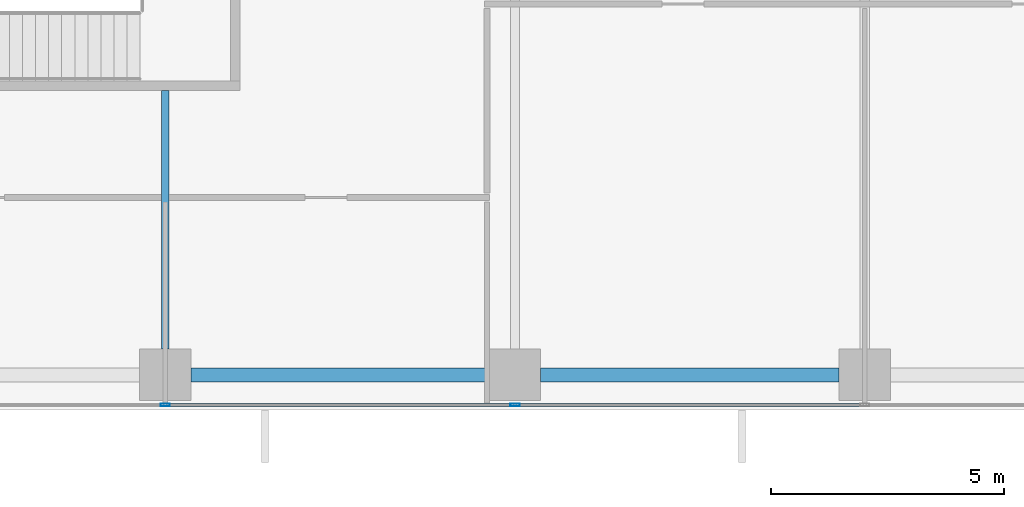
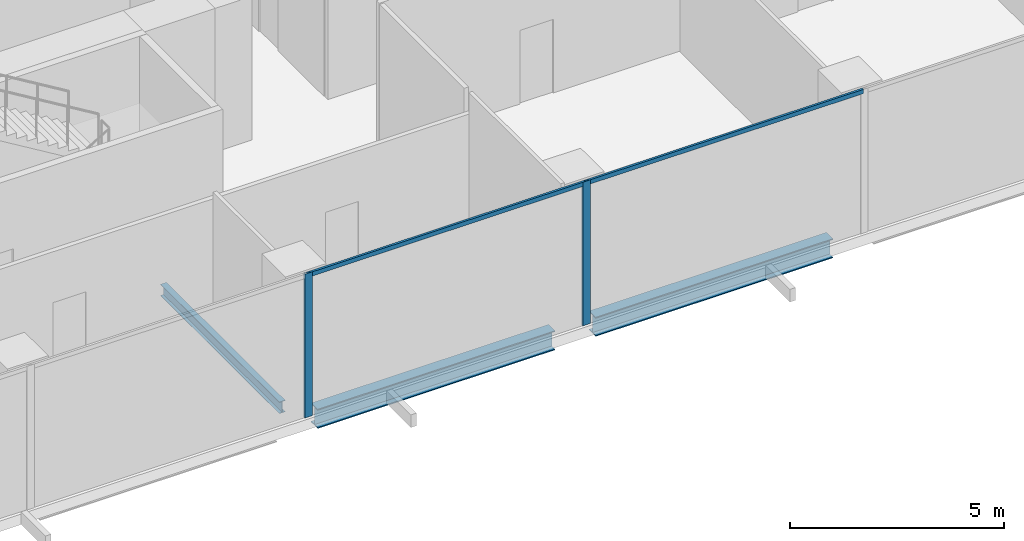
# One storey, part 5 of 34: 4 members, 3 beams, 1 element without a shape of its own.
"""IFC4 building model written with IfcOpenShell, lengths in metres."""

from ifc_helpers import new_model, si_unit, direction, frame, origin, origin_2d, place, context, subcontext, project, spatial, hollow_rectangle, i_section, extrude, source, transform, mapped, material, material_profile, profile_set, type_object, element, aggregate, save


model = new_model("IFC4")

# Units and contexts
model_context = context("Model", 3, precision=1e-05, world=origin(), true_north=direction((0.0, 1.0)))
body_context = subcontext(model_context, "Body", "Model", "MODEL_VIEW")
ifc_project = project(units=[si_unit("LENGTHUNIT", "METRE"), si_unit("AREAUNIT", "SQUARE_METRE"), si_unit("VOLUMEUNIT", "CUBIC_METRE"), si_unit("PLANEANGLEUNIT", "RADIAN"), si_unit("MASSUNIT", "GRAM", prefix="KILO")], contexts=[model_context])

# Site, building, storey
site_placement = place(None, origin())
site = spatial("IfcSite", under=ifc_project, at=site_placement, CompositionType="ELEMENT")
building_placement = place(site_placement, origin())
building = spatial("IfcBuilding", under=site, at=building_placement, Name="Khomas Fold Tower", CompositionType="ELEMENT")
storey_placement = place(building_placement, frame((0.0, 0.0, 105.89990234375)))
storey = spatial("IfcBuildingStorey", under=building, at=storey_placement, Name="L22", CompositionType="ELEMENT", Elevation=105.89990234375)

# Beams
ifc_material_1 = material(Name="Steel S355", Category="steel")
ifc_material_profile_1 = material_profile(ifc_material_1, i_section(OverallWidth=0.300048828125, OverallDepth=0.550048828125, WebThickness=0.014892578125, FlangeThickness=0.029052734375, at=origin_2d()), Name="HE 550 B")
ifc_profile_set_1 = profile_set([ifc_material_profile_1], Name="Steel S355")
beam_type_1 = type_object("IfcBeamType", Name="HE 550 B spandrel SB2", PredefinedType="SPANDREL", material=ifc_profile_set_1)
shared_shape_1 = source(origin(), body_context, "Body", "SweptSolid", [
    extrude(i_section(OverallWidth=0.300048828125, OverallDepth=0.550048828125, WebThickness=0.014892578125, FlangeThickness=0.029052734375, at=origin_2d()), origin(), (0.0, 0.0, 1.0), 6.39990234375),
])
for number, where, z_axis, x_axis, name in (
    (1, (20.050048828125, 2.25, -0.574951171875), (1.0, 0.0, 0.0), (0.0, 1.0, 0.0), "SB2"),
    (2, (27.550048828125, 2.25, -0.574951171875), (1.0, 0.0, 0.0), (0.0, 1.0, 0.0), "SB2"),
):
    element("IfcBeam", number, at=place(storey_placement, frame(where, z_axis=z_axis, x_axis=x_axis)), inside=storey, type_object=beam_type_1, Name=name, PredefinedType="SPANDREL", context=body_context, shape_type="MappedRepresentation", body=[
        mapped(shared_shape_1, transform((0.0, 0.0, 0.0))),
    ])
ifc_material_2 = material(Name="Steel S355", Category="steel")
ifc_material_profile_2 = material_profile(ifc_material_2, i_section(OverallWidth=0.159912109375, OverallDepth=0.330078125, WebThickness=0.007568359375, FlangeThickness=0.011474609375, at=origin_2d()), Name="IPE 330")
ifc_profile_set_2 = profile_set([ifc_material_profile_2], Name="Steel S355")
beam_type_2 = type_object("IfcBeamType", Name="IPE 330 beam JB1", PredefinedType="BEAM", material=ifc_profile_set_2)
shared_shape_2 = source(origin(), body_context, "Body", "SweptSolid", [
    extrude(i_section(OverallWidth=0.159912109375, OverallDepth=0.330078125, WebThickness=0.007568359375, FlangeThickness=0.011474609375, at=origin_2d()), origin(), (0.0, 0.0, 1.0), 5.550048828125),
])
beam_placement = place(storey_placement, frame((19.5, 2.800048828125, -0.46484375), z_axis=(0.0, 1.0, 0.0), x_axis=(-1.0, 0.0, 0.0)))
element("IfcBeam", 3, at=beam_placement, inside=storey, type_object=beam_type_2, Name="JB1", PredefinedType="BEAM", context=body_context, shape_type="MappedRepresentation", body=[
    mapped(shared_shape_2, transform((0.0, 0.0, 0.0))),
])

# Curtain wall, members
ifc_material_3 = material(Name="Aluminium framed double glazing", Category="aluminium")
curtain_wall_type = type_object("IfcCurtainWallType", Name="SK-Unitised clear-glass wall, growing floors CW1", PredefinedType="NOTDEFINED", material=ifc_material_3)
curtain_wall_placement = place(storey_placement, origin())
curtain_wall = element("IfcCurtainWall", 4, at=curtain_wall_placement, inside=storey, type_object=curtain_wall_type, Name="CW1 run L22 00-0", PredefinedType="NOTDEFINED")
ifc_material_4 = material(Name="Aluminium", Category="aluminium")
ifc_material_profile_3 = material_profile(ifc_material_4, hollow_rectangle(XDim=0.06005859375, YDim=0.1201171875, WallThickness=0.00390625, at=origin_2d()), Name="SK-Unitised clear-glass wall, growing floors transom CW1-T")
ifc_profile_set_3 = profile_set([ifc_material_profile_3], Name="Aluminium")
member_type_1 = type_object("IfcMemberType", Name="SK-Unitised clear-glass wall, growing floors transom CW1-T", PredefinedType="USERDEFINED", material=ifc_profile_set_3)
shared_shape_3 = source(origin(), body_context, "Body", "SweptSolid", [
    extrude(hollow_rectangle(XDim=0.06005859375, YDim=0.1201171875, WallThickness=0.00390625, at=origin_2d()), origin(), (0.0, 0.0, 1.0), 7.43994140625),
])
member_1_placement = place(storey_placement, frame((19.530029296875, 1.60009765625, 4.0400390625), z_axis=(1.0, 0.0, 0.0), x_axis=(0.0, 1.0, 0.0)))
member_1 = element("IfcMember", 5, at=member_1_placement, type_object=member_type_1, Name="CW1 transom 4", ObjectType="TRANSOM", PredefinedType="USERDEFINED", context=body_context, shape_type="MappedRepresentation", body=[
    mapped(shared_shape_3, transform((0.0, 0.0, 0.0))),
])
member_2_placement = place(storey_placement, frame((27.030029296875, 1.60009765625, 4.0400390625), z_axis=(1.0, 0.0, 0.0), x_axis=(0.0, 1.0, 0.0)))
member_2 = element("IfcMember", 6, at=member_2_placement, type_object=member_type_1, Name="CW1 transom 5", ObjectType="TRANSOM", PredefinedType="USERDEFINED", context=body_context, shape_type="MappedRepresentation", body=[
    mapped(shared_shape_3, transform((0.0, 0.0, 0.0))),
])
ifc_material_5 = material(Name="Aluminium", Category="aluminium")
ifc_material_profile_4 = material_profile(ifc_material_5, hollow_rectangle(XDim=0.06005859375, YDim=0.199951171875, WallThickness=0.00390625, at=origin_2d()), Name="SK-Unitised clear-glass wall, growing floors mullion CW1-M")
ifc_profile_set_4 = profile_set([ifc_material_profile_4], Name="Aluminium")
member_type_2 = type_object("IfcMemberType", Name="SK-Unitised clear-glass wall, growing floors mullion CW1-M", PredefinedType="MULLION", material=ifc_profile_set_4)
shared_shape_4 = source(origin(), body_context, "Body", "SweptSolid", [
    extrude(hollow_rectangle(XDim=0.06005859375, YDim=0.199951171875, WallThickness=0.00390625, at=origin_2d()), origin(), (0.0, 0.0, 1.0), 4.10009765625),
])
member_3_placement = place(storey_placement, frame((19.5, 1.60009765625, 0.0), z_axis=(0.0, 0.0, 1.0), x_axis=(0.0, 1.0, 0.0)))
member_3 = element("IfcMember", 7, at=member_3_placement, type_object=member_type_2, Name="CW1 mullion 4", PredefinedType="MULLION", context=body_context, shape_type="MappedRepresentation", body=[
    mapped(shared_shape_4, transform((0.0, 0.0, 0.0))),
])
member_4_placement = place(storey_placement, frame((27.0, 1.60009765625, 0.0), z_axis=(0.0, 0.0, 1.0), x_axis=(0.0, 1.0, 0.0)))
member_4 = element("IfcMember", 8, at=member_4_placement, type_object=member_type_2, Name="CW1 mullion 5", PredefinedType="MULLION", context=body_context, shape_type="MappedRepresentation", body=[
    mapped(shared_shape_4, transform((0.0, 0.0, 0.0))),
])
aggregate(curtain_wall, [member_3, member_4, member_1, member_2])

save(model, "model.ifc")
